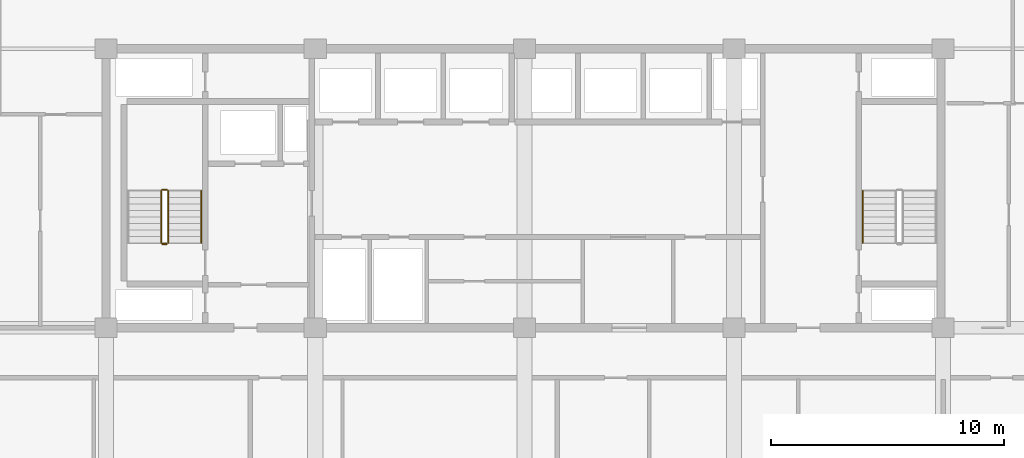
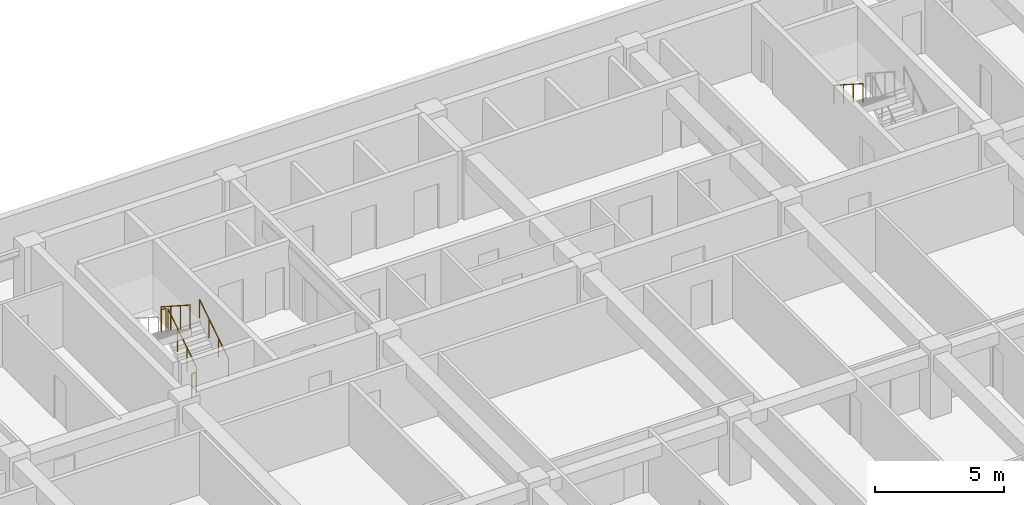
# One storey, part 20 of 23: 6 railings.
"""IFC4 building model written with IfcOpenShell, lengths in metres."""

from ifc_helpers import new_model, si_unit, direction, frame, origin, origin_2d, place, context, subcontext, project, spatial, circle, extrude, material, type_object, element, save


model = new_model("IFC4")

# Units and contexts
model_context = context("Model", 3, precision=1e-05, world=origin(), true_north=direction((0.0, 1.0)))
body_context = subcontext(model_context, "Body", "Model", "MODEL_VIEW")
ifc_project = project(units=[si_unit("LENGTHUNIT", "METRE"), si_unit("AREAUNIT", "SQUARE_METRE"), si_unit("VOLUMEUNIT", "CUBIC_METRE"), si_unit("PLANEANGLEUNIT", "RADIAN"), si_unit("MASSUNIT", "GRAM", prefix="KILO")], contexts=[model_context])

# Site, building, storey
site_placement = place(None, origin())
site = spatial("IfcSite", under=ifc_project, at=site_placement, CompositionType="ELEMENT")
building_placement = place(site_placement, origin())
building = spatial("IfcBuilding", under=site, at=building_placement, Name="Korimba Cascade Residences", CompositionType="ELEMENT")
storey_placement = place(building_placement, frame((0.0, 0.0, 69.5)))
storey = spatial("IfcBuildingStorey", under=building, at=storey_placement, Name="L19", CompositionType="ELEMENT", Elevation=69.5)

# Railings
ifc_material_1 = material(Name="Painted Steel Stairwell Guardrail", Category="steel")
railing_type_1 = type_object("IfcRailingType", Name="RLG-ST-GD1150", PredefinedType="GUARDRAIL", material=ifc_material_1)
railing_1_placement = place(storey_placement, frame((84.77001953125, 22.050048828125, 0.1806640625)))
element("IfcRailing", 1, at=railing_1_placement, inside=storey, type_object=railing_type_1, Name="L19 ST-E1 stair guard 1", PredefinedType="GUARDRAIL", context=body_context, shape_type="SweptSolid", body=[
    extrude(circle(Radius=0.02392578125, at=origin_2d()), frame((0.0, 0.0, 1.1259765625), z_axis=(0.0, 0.840436612492, 0.541909863706), x_axis=(-1.0, 0.0, 0.0)), (0.0, 0.0, 1.0), 2.665283203125),
    extrude(circle(Radius=0.02099609375, at=origin_2d()), origin(), (0.0, 0.0, 1.0), 1.101806640625),
    extrude(circle(Radius=0.02099609375, at=origin_2d()), frame((0.0, 0.74658203125, 0.4814453125)), (0.0, 0.0, 1.0), 1.101806640625),
    extrude(circle(Radius=0.02099609375, at=origin_2d()), frame((0.0, 1.493408203125, 0.962890625)), (0.0, 0.0, 1.0), 1.101806640625),
    extrude(circle(Radius=0.02099609375, at=origin_2d()), frame((0.0, 2.239990234375, 1.4443359375)), (0.0, 0.0, 1.0), 1.101806640625),
])
railing_2_placement = place(storey_placement, frame((84.719970703125, 24.340087890625, 1.625)))
element("IfcRailing", 2, at=railing_2_placement, inside=storey, type_object=railing_type_1, Name="L19 ST-E1 stair guard 2", PredefinedType="GUARDRAIL", context=body_context, shape_type="SweptSolid", body=[
    extrude(circle(Radius=0.02392578125, at=origin_2d()), frame((0.0, 0.0, 1.1259765625), z_axis=(-1.0, 0.0, 0.0), x_axis=(0.0, -1.0, 0.0)), (0.0, 0.0, 1.0), 0.199951171875),
    extrude(circle(Radius=0.02099609375, at=origin_2d()), origin(), (0.0, 0.0, 1.0), 1.101806640625),
    extrude(circle(Radius=0.02099609375, at=origin_2d()), frame((-0.199951171875, 0.0, 0.0)), (0.0, 0.0, 1.0), 1.101806640625),
])
railing_3_placement = place(storey_placement, frame((84.469970703125, 24.2900390625, 1.8056640625)))
element("IfcRailing", 3, at=railing_3_placement, inside=storey, type_object=railing_type_1, Name="L19 ST-E1 stair guard 3", PredefinedType="GUARDRAIL", context=body_context, shape_type="SweptSolid", body=[
    extrude(circle(Radius=0.02392578125, at=origin_2d()), frame((0.0, 0.0, 1.1259765625), z_axis=(0.0, -0.840436612492, 0.541909863706), x_axis=(1.0, 0.0, 0.0)), (0.0, 0.0, 1.0), 2.665283203125),
    extrude(circle(Radius=0.02099609375, at=origin_2d()), origin(), (0.0, 0.0, 1.0), 1.101806640625),
    extrude(circle(Radius=0.02099609375, at=origin_2d()), frame((0.0, -0.74658203125, 0.4814453125)), (0.0, 0.0, 1.0), 1.101806640625),
    extrude(circle(Radius=0.02099609375, at=origin_2d()), frame((0.0, -1.493408203125, 0.962890625)), (0.0, 0.0, 1.0), 1.101806640625),
    extrude(circle(Radius=0.02099609375, at=origin_2d()), frame((0.0, -2.239990234375, 1.4443359375)), (0.0, 0.0, 1.0), 1.101806640625),
])
railing_4_placement = place(storey_placement, frame((84.719970703125, 22.0, 0.0)))
element("IfcRailing", 4, at=railing_4_placement, inside=storey, type_object=railing_type_1, Name="L19 ST-E1 stair guard 4", PredefinedType="GUARDRAIL", context=body_context, shape_type="SweptSolid", body=[
    extrude(circle(Radius=0.02392578125, at=origin_2d()), frame((0.0, 0.0, 1.1259765625), z_axis=(-1.0, 0.0, 0.0), x_axis=(0.0, -1.0, 0.0)), (0.0, 0.0, 1.0), 0.199951171875),
    extrude(circle(Radius=0.02099609375, at=origin_2d()), origin(), (0.0, 0.0, 1.0), 1.101806640625),
    extrude(circle(Radius=0.02099609375, at=origin_2d()), frame((-0.199951171875, 0.0, 0.0)), (0.0, 0.0, 1.0), 1.101806640625),
])
ifc_material_2 = material(Name="Brushed Stainless Steel Handrail", Category="steel")
railing_type_2 = type_object("IfcRailingType", Name="RLG-ST-HR900", PredefinedType="HANDRAIL", material=ifc_material_2)
railing_5_placement = place(storey_placement, frame((86.18994140625, 22.050048828125, 0.364990234375)))
element("IfcRailing", 5, at=railing_5_placement, inside=storey, type_object=railing_type_2, Name="L19 ST-E1 stair handrail 1", PredefinedType="HANDRAIL", context=body_context, shape_type="SweptSolid", body=[
    extrude(circle(Radius=0.02392578125, at=origin_2d()), frame((0.0, 0.0, 0.8759765625), z_axis=(0.0, 0.840436612492, 0.541909863706), x_axis=(-1.0, 0.0, 0.0)), (0.0, 0.0, 1.0), 2.665283203125),
    extrude(circle(Radius=0.02099609375, at=origin_2d()), origin(), (0.0, 0.0, 1.0), 0.851806640625),
    extrude(circle(Radius=0.02099609375, at=origin_2d()), frame((0.0, 0.74658203125, 0.4814453125)), (0.0, 0.0, 1.0), 0.851806640625),
    extrude(circle(Radius=0.02099609375, at=origin_2d()), frame((0.0, 1.493408203125, 0.962890625)), (0.0, 0.0, 1.0), 0.851806640625),
    extrude(circle(Radius=0.02099609375, at=origin_2d()), frame((0.0, 2.239990234375, 1.4443359375)), (0.0, 0.0, 1.0), 0.851806640625),
])
railing_6_placement = place(storey_placement, frame((114.64990234375, 24.2900390625, 1.989990234375)))
element("IfcRailing", 6, at=railing_6_placement, inside=storey, type_object=railing_type_2, Name="L19 ST-E2 stair handrail 2", PredefinedType="HANDRAIL", context=body_context, shape_type="SweptSolid", body=[
    extrude(circle(Radius=0.02392578125, at=origin_2d()), frame((0.0, 0.0, 0.8759765625), z_axis=(0.0, -0.840436612492, 0.541909863706), x_axis=(1.0, 0.0, 0.0)), (0.0, 0.0, 1.0), 2.665283203125),
    extrude(circle(Radius=0.02099609375, at=origin_2d()), origin(), (0.0, 0.0, 1.0), 0.851806640625),
    extrude(circle(Radius=0.02099609375, at=origin_2d()), frame((0.0, -0.74658203125, 0.4814453125)), (0.0, 0.0, 1.0), 0.851806640625),
    extrude(circle(Radius=0.02099609375, at=origin_2d()), frame((0.0, -1.493408203125, 0.962890625)), (0.0, 0.0, 1.0), 0.851806640625),
    extrude(circle(Radius=0.02099609375, at=origin_2d()), frame((0.0, -2.239990234375, 1.4443359375)), (0.0, 0.0, 1.0), 0.851806640625),
])

save(model, "model.ifc")
